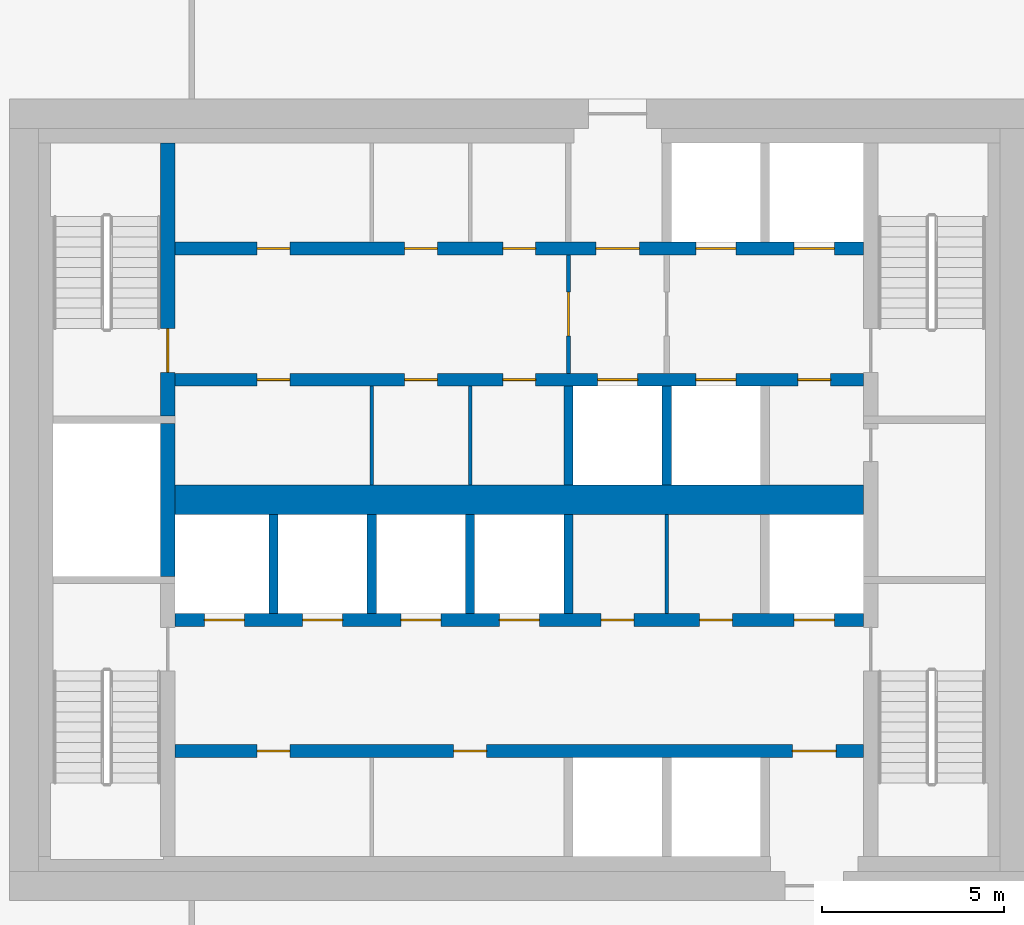
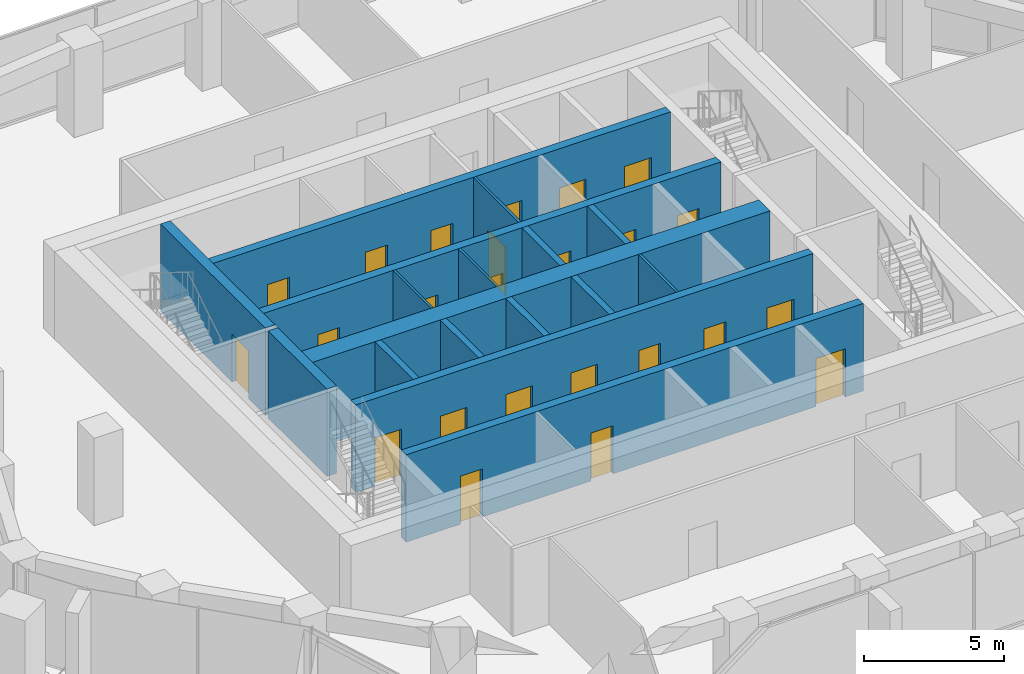
# One storey, part 12 of 18: 24 doors, 17 walls, 24 openings.
"""IFC4 building model written with IfcOpenShell, lengths in metres."""

from ifc_helpers import new_model, si_unit, direction, frame, frame_2d, origin, place, context, subcontext, project, spatial, rectangle, extrude, material, layer, layer_set, type_object, element, fill, save


model = new_model("IFC4")

# Units and contexts
model_context = context("Model", 3, precision=1e-05, world=origin(), true_north=direction((0.0, 1.0)))
body_context = subcontext(model_context, "Body", "Model", "MODEL_VIEW")
ifc_project = project(units=[si_unit("LENGTHUNIT", "METRE"), si_unit("AREAUNIT", "SQUARE_METRE"), si_unit("VOLUMEUNIT", "CUBIC_METRE"), si_unit("PLANEANGLEUNIT", "RADIAN"), si_unit("MASSUNIT", "GRAM", prefix="KILO")], contexts=[model_context])

# Site, building, storey
site_placement = place(None, origin())
site = spatial("IfcSite", under=ifc_project, at=site_placement, CompositionType="ELEMENT")
building_placement = place(site_placement, origin())
building = spatial("IfcBuilding", under=site, at=building_placement, Name="Dongbaek Canopy Tower", CompositionType="ELEMENT")
storey_placement = place(building_placement, frame((0.0, 0.0, 158.60009765625)))
storey = spatial("IfcBuildingStorey", under=building, at=storey_placement, Name="L34", CompositionType="ELEMENT", Elevation=158.60009765625)

# Wall
ifc_material_1 = material(Name="Concrete C60/75", Category="concrete")
ifc_layer_1 = layer(ifc_material_1, 0.800048828125)
ifc_layer_set_1 = layer_set([ifc_layer_1], Name="Core central wall 800 Concrete C60/75")
wall_type_1 = type_object("IfcWallType", Name="Core central wall 800 Concrete C60/75", PredefinedType="SHEAR", material=ifc_layer_set_1)
wall_1_placement = place(storey_placement, frame((-9.449951171875, 0.0, 0.0), z_axis=(0.0, 0.0, 1.0), x_axis=(1.0, 0.0, 0.0)))
element("IfcWall", 1, at=wall_1_placement, inside=storey, type_object=wall_type_1, Name="Core wall", PredefinedType="SHEAR", context=body_context, shape_type="SweptSolid", body=[
    extrude(rectangle(XDim=18.89990234375, YDim=0.800048828125, at=frame_2d((9.449951171875, 0.0))), origin(), (0.0, 0.0, 1.0), 3.81982421875),
])

# Wall, openings, doors
ifc_material_2 = material(Name="Concrete C60/75", Category="concrete")
ifc_layer_2 = layer(ifc_material_2, 0.35009765625)
ifc_layer_set_2 = layer_set([ifc_layer_2], Name="Core lobby wall 350 Concrete C60/75")
wall_type_2 = type_object("IfcWallType", Name="Core lobby wall 350 Concrete C60/75", PredefinedType="SHEAR", material=ifc_layer_set_2)
wall_2_placement = place(storey_placement, frame((-9.449951171875, 6.89990234375, 0.0), z_axis=(0.0, 0.0, 1.0), x_axis=(1.0, 0.0, 0.0)))
wall_2 = element("IfcWall", 2, at=wall_2_placement, inside=storey, type_object=wall_type_2, Name="Core wall", PredefinedType="SHEAR", context=body_context, shape_type="SweptSolid", body=[
    extrude(rectangle(XDim=18.89990234375, YDim=0.35009765625, at=frame_2d((9.449951171875, 0.0))), origin(), (0.0, 0.0, 1.0), 3.81982421875),
])
opening_1_placement = place(wall_2_placement, frame((11.550048828125, 0.0, 0.0)))
opening_1 = element("IfcOpeningElement", 3, at=opening_1_placement, cuts=wall_2, Name="Opening L34-D012", PredefinedType="OPENING", context=body_context, shape_type="SweptSolid", body=[
    extrude(rectangle(XDim=1.199951171875, YDim=2.10009765625, at=frame_2d((0.60009765625, 1.050048828125))), frame((0.0, 0.18505859375, 0.0), z_axis=(0.0, -1.0, 0.0), x_axis=(1.0, 0.0, 0.0)), (0.0, 0.0, 1.0), 0.3701171875),
])
opening_2_placement = place(wall_2_placement, frame((14.300048828125, 0.0, 0.0)))
opening_2 = element("IfcOpeningElement", 4, at=opening_2_placement, cuts=wall_2, Name="Opening L34-D013", PredefinedType="OPENING", context=body_context, shape_type="SweptSolid", body=[
    extrude(rectangle(XDim=1.10009765625, YDim=2.10009765625, at=frame_2d((0.550048828125, 1.050048828125))), frame((0.0, 0.18505859375, 0.0), z_axis=(0.0, -1.0, 0.0), x_axis=(1.0, 0.0, 0.0)), (0.0, 0.0, 1.0), 0.3701171875),
])
opening_3_placement = place(wall_2_placement, frame((17.0, 0.0, 0.0)))
opening_3 = element("IfcOpeningElement", 5, at=opening_3_placement, cuts=wall_2, Name="Opening L34-D014", PredefinedType="OPENING", context=body_context, shape_type="SweptSolid", body=[
    extrude(rectangle(XDim=1.10009765625, YDim=2.10009765625, at=frame_2d((0.550048828125, 1.050048828125))), frame((0.0, 0.18505859375, 0.0), z_axis=(0.0, -1.0, 0.0), x_axis=(1.0, 0.0, 0.0)), (0.0, 0.0, 1.0), 0.3701171875),
])
opening_4_placement = place(wall_2_placement, frame((2.25, 0.0, 0.0)))
opening_4 = element("IfcOpeningElement", 6, at=opening_4_placement, cuts=wall_2, Name="Opening L34-D025", PredefinedType="OPENING", context=body_context, shape_type="SweptSolid", body=[
    extrude(rectangle(XDim=0.89990234375, YDim=2.10009765625, at=frame_2d((0.449951171875, 1.050048828125))), frame((0.0, 0.18505859375, 0.0), z_axis=(0.0, -1.0, 0.0), x_axis=(1.0, 0.0, 0.0)), (0.0, 0.0, 1.0), 0.3701171875),
])
opening_5_placement = place(wall_2_placement, frame((6.300048828125, 0.0, 0.0)))
opening_5 = element("IfcOpeningElement", 7, at=opening_5_placement, cuts=wall_2, Name="Opening L34-D026", PredefinedType="OPENING", context=body_context, shape_type="SweptSolid", body=[
    extrude(rectangle(XDim=0.89990234375, YDim=2.10009765625, at=frame_2d((0.449951171875, 1.050048828125))), frame((0.0, 0.18505859375, 0.0), z_axis=(0.0, -1.0, 0.0), x_axis=(1.0, 0.0, 0.0)), (0.0, 0.0, 1.0), 0.3701171875),
])
opening_6_placement = place(wall_2_placement, frame((9.0, 0.0, 0.0)))
opening_6 = element("IfcOpeningElement", 8, at=opening_6_placement, cuts=wall_2, Name="Opening L34-D027", PredefinedType="OPENING", context=body_context, shape_type="SweptSolid", body=[
    extrude(rectangle(XDim=0.89990234375, YDim=2.10009765625, at=frame_2d((0.449951171875, 1.050048828125))), frame((0.0, 0.18505859375, 0.0), z_axis=(0.0, -1.0, 0.0), x_axis=(1.0, 0.0, 0.0)), (0.0, 0.0, 1.0), 0.3701171875),
])
ifc_material_3 = material(Name="Steel", Category="steel")
door_type_1 = type_object("IfcDoorType", Name="Core room door 900 x 2100", OperationType="SINGLE_SWING_LEFT", PredefinedType="DOOR", material=ifc_material_3)
door_1_placement = place(opening_4_placement, origin())
door_1 = element("IfcDoor", 9, at=door_1_placement, inside=storey, type_object=door_type_1, Name="Door L34-D025", OperationType="SINGLE_SWING_RIGHT", OverallHeight=2.10009765625, OverallWidth=0.89990234375, PredefinedType="DOOR", context=body_context, shape_type="SweptSolid", body=[
    extrude(rectangle(XDim=0.89990234375, YDim=2.10009765625, at=frame_2d((0.449951171875, 1.050048828125))), frame((0.0, 0.02490234375, 0.0), z_axis=(0.0, -1.0, 0.0), x_axis=(1.0, 0.0, 0.0)), (0.0, 0.0, 1.0), 0.050048828125),
])
fill(opening_4, door_1)
door_2_placement = place(opening_5_placement, origin())
door_2 = element("IfcDoor", 10, at=door_2_placement, inside=storey, type_object=door_type_1, Name="Door L34-D026", OperationType="SINGLE_SWING_LEFT", OverallHeight=2.10009765625, OverallWidth=0.89990234375, PredefinedType="DOOR", context=body_context, shape_type="SweptSolid", body=[
    extrude(rectangle(XDim=0.89990234375, YDim=2.10009765625, at=frame_2d((0.449951171875, 1.050048828125))), frame((0.0, 0.02490234375, 0.0), z_axis=(0.0, -1.0, 0.0), x_axis=(1.0, 0.0, 0.0)), (0.0, 0.0, 1.0), 0.050048828125),
])
fill(opening_5, door_2)
door_3_placement = place(opening_6_placement, origin())
door_3 = element("IfcDoor", 11, at=door_3_placement, inside=storey, type_object=door_type_1, Name="Door L34-D027", OperationType="SINGLE_SWING_RIGHT", OverallHeight=2.10009765625, OverallWidth=0.89990234375, PredefinedType="DOOR", context=body_context, shape_type="SweptSolid", body=[
    extrude(rectangle(XDim=0.89990234375, YDim=2.10009765625, at=frame_2d((0.449951171875, 1.050048828125))), frame((0.0, 0.02490234375, 0.0), z_axis=(0.0, -1.0, 0.0), x_axis=(1.0, 0.0, 0.0)), (0.0, 0.0, 1.0), 0.050048828125),
])
fill(opening_6, door_3)
ifc_material_4 = material(Name="Steel", Category="steel")
door_type_2 = type_object("IfcDoorType", Name="Fire lobby door 1200 x 2100", OperationType="SINGLE_SWING_LEFT", PredefinedType="DOOR", material=ifc_material_4)
door_4_placement = place(opening_1_placement, origin())
door_4 = element("IfcDoor", 12, at=door_4_placement, inside=storey, type_object=door_type_2, Name="Door L34-D012", OperationType="SINGLE_SWING_LEFT", OverallHeight=2.10009765625, OverallWidth=1.199951171875, PredefinedType="DOOR", context=body_context, shape_type="SweptSolid", body=[
    extrude(rectangle(XDim=1.199951171875, YDim=2.10009765625, at=frame_2d((0.60009765625, 1.050048828125))), frame((0.0, 0.02490234375, 0.0), z_axis=(0.0, -1.0, 0.0), x_axis=(1.0, 0.0, 0.0)), (0.0, 0.0, 1.0), 0.050048828125),
])
fill(opening_1, door_4)
ifc_material_5 = material(Name="Stainless steel", Category="steel")
door_type_3 = type_object("IfcDoorType", Name="Lift landing door 1100 x 2100", OperationType="DOUBLE_DOOR_SLIDING", PredefinedType="DOOR", material=ifc_material_5)
door_5_placement = place(opening_2_placement, origin())
door_5 = element("IfcDoor", 13, at=door_5_placement, inside=storey, type_object=door_type_3, Name="Landing door FF1", OperationType="DOUBLE_DOOR_SLIDING", OverallHeight=2.10009765625, OverallWidth=1.10009765625, PredefinedType="DOOR", context=body_context, shape_type="SweptSolid", body=[
    extrude(rectangle(XDim=1.10009765625, YDim=2.10009765625, at=frame_2d((0.550048828125, 1.050048828125))), frame((0.0, 0.02490234375, 0.0), z_axis=(0.0, -1.0, 0.0), x_axis=(1.0, 0.0, 0.0)), (0.0, 0.0, 1.0), 0.050048828125),
])
fill(opening_2, door_5)
door_6_placement = place(opening_3_placement, origin())
door_6 = element("IfcDoor", 14, at=door_6_placement, inside=storey, type_object=door_type_3, Name="Landing door FF2", OperationType="DOUBLE_DOOR_SLIDING", OverallHeight=2.10009765625, OverallWidth=1.10009765625, PredefinedType="DOOR", context=body_context, shape_type="SweptSolid", body=[
    extrude(rectangle(XDim=1.10009765625, YDim=2.10009765625, at=frame_2d((0.550048828125, 1.050048828125))), frame((0.0, 0.02490234375, 0.0), z_axis=(0.0, -1.0, 0.0), x_axis=(1.0, 0.0, 0.0)), (0.0, 0.0, 1.0), 0.050048828125),
])
fill(opening_3, door_6)

wall_3_placement = place(storey_placement, frame((9.449951171875, 3.300048828125, 0.0), z_axis=(0.0, 0.0, 1.0), x_axis=(-1.0, 0.0, 0.0)))
wall_3 = element("IfcWall", 15, at=wall_3_placement, inside=storey, type_object=wall_type_2, Name="Core wall", PredefinedType="SHEAR", context=body_context, shape_type="SweptSolid", body=[
    extrude(rectangle(XDim=18.89990234375, YDim=0.35009765625, at=frame_2d((9.449951171875, 0.0))), origin(), (0.0, 0.0, 1.0), 3.81982421875),
])
opening_7_placement = place(wall_3_placement, frame((6.199951171875, 0.0, 0.0)))
opening_7 = element("IfcOpeningElement", 16, at=opening_7_placement, cuts=wall_3, Name="Opening L34-D015", PredefinedType="OPENING", context=body_context, shape_type="SweptSolid", body=[
    extrude(rectangle(XDim=1.10009765625, YDim=2.10009765625, at=frame_2d((0.550048828125, 1.050048828125))), frame((0.0, 0.18505859375, 0.0), z_axis=(0.0, -1.0, 0.0), x_axis=(1.0, 0.0, 0.0)), (0.0, 0.0, 1.0), 0.3701171875),
])
opening_8_placement = place(wall_3_placement, frame((3.5, 0.0, 0.0)))
opening_8 = element("IfcOpeningElement", 17, at=opening_8_placement, cuts=wall_3, Name="Opening L34-D016", PredefinedType="OPENING", context=body_context, shape_type="SweptSolid", body=[
    extrude(rectangle(XDim=1.10009765625, YDim=2.10009765625, at=frame_2d((0.550048828125, 1.050048828125))), frame((0.0, 0.18505859375, 0.0), z_axis=(0.0, -1.0, 0.0), x_axis=(1.0, 0.0, 0.0)), (0.0, 0.0, 1.0), 0.3701171875),
])
opening_9_placement = place(wall_3_placement, frame((0.89990234375, 0.0, 0.0)))
opening_9 = element("IfcOpeningElement", 18, at=opening_9_placement, cuts=wall_3, Name="Opening L34-D017", PredefinedType="OPENING", context=body_context, shape_type="SweptSolid", body=[
    extrude(rectangle(XDim=0.89990234375, YDim=2.10009765625, at=frame_2d((0.449951171875, 1.050048828125))), frame((0.0, 0.18505859375, 0.0), z_axis=(0.0, -1.0, 0.0), x_axis=(1.0, 0.0, 0.0)), (0.0, 0.0, 1.0), 0.3701171875),
])
opening_10_placement = place(wall_3_placement, frame((15.75, 0.0, 0.0)))
opening_10 = element("IfcOpeningElement", 19, at=opening_10_placement, cuts=wall_3, Name="Opening L34-D028", PredefinedType="OPENING", context=body_context, shape_type="SweptSolid", body=[
    extrude(rectangle(XDim=0.89990234375, YDim=2.10009765625, at=frame_2d((0.449951171875, 1.050048828125))), frame((0.0, 0.18505859375, 0.0), z_axis=(0.0, -1.0, 0.0), x_axis=(1.0, 0.0, 0.0)), (0.0, 0.0, 1.0), 0.3701171875),
])
opening_11_placement = place(wall_3_placement, frame((11.699951171875, 0.0, 0.0)))
opening_11 = element("IfcOpeningElement", 20, at=opening_11_placement, cuts=wall_3, Name="Opening L34-D029", PredefinedType="OPENING", context=body_context, shape_type="SweptSolid", body=[
    extrude(rectangle(XDim=0.89990234375, YDim=2.10009765625, at=frame_2d((0.449951171875, 1.050048828125))), frame((0.0, 0.18505859375, 0.0), z_axis=(0.0, -1.0, 0.0), x_axis=(1.0, 0.0, 0.0)), (0.0, 0.0, 1.0), 0.3701171875),
])
opening_12_placement = place(wall_3_placement, frame((9.0, 0.0, 0.0)))
opening_12 = element("IfcOpeningElement", 21, at=opening_12_placement, cuts=wall_3, Name="Opening L34-D030", PredefinedType="OPENING", context=body_context, shape_type="SweptSolid", body=[
    extrude(rectangle(XDim=0.89990234375, YDim=2.10009765625, at=frame_2d((0.449951171875, 1.050048828125))), frame((0.0, 0.18505859375, 0.0), z_axis=(0.0, -1.0, 0.0), x_axis=(1.0, 0.0, 0.0)), (0.0, 0.0, 1.0), 0.3701171875),
])
door_7_placement = place(opening_9_placement, origin())
door_7 = element("IfcDoor", 22, at=door_7_placement, inside=storey, type_object=door_type_1, Name="Door L34-D017", OperationType="SINGLE_SWING_LEFT", OverallHeight=2.10009765625, OverallWidth=0.89990234375, PredefinedType="DOOR", context=body_context, shape_type="SweptSolid", body=[
    extrude(rectangle(XDim=0.89990234375, YDim=2.10009765625, at=frame_2d((0.449951171875, 1.050048828125))), frame((0.0, 0.02490234375, 0.0), z_axis=(0.0, -1.0, 0.0), x_axis=(1.0, 0.0, 0.0)), (0.0, 0.0, 1.0), 0.050048828125),
])
fill(opening_9, door_7)
door_8_placement = place(opening_10_placement, origin())
door_8 = element("IfcDoor", 23, at=door_8_placement, inside=storey, type_object=door_type_1, Name="Door L34-D028", OperationType="SINGLE_SWING_LEFT", OverallHeight=2.10009765625, OverallWidth=0.89990234375, PredefinedType="DOOR", context=body_context, shape_type="SweptSolid", body=[
    extrude(rectangle(XDim=0.89990234375, YDim=2.10009765625, at=frame_2d((0.449951171875, 1.050048828125))), frame((0.0, 0.02490234375, 0.0), z_axis=(0.0, -1.0, 0.0), x_axis=(1.0, 0.0, 0.0)), (0.0, 0.0, 1.0), 0.050048828125),
])
fill(opening_10, door_8)
door_9_placement = place(opening_11_placement, origin())
door_9 = element("IfcDoor", 24, at=door_9_placement, inside=storey, type_object=door_type_1, Name="Door L34-D029", OperationType="SINGLE_SWING_RIGHT", OverallHeight=2.10009765625, OverallWidth=0.89990234375, PredefinedType="DOOR", context=body_context, shape_type="SweptSolid", body=[
    extrude(rectangle(XDim=0.89990234375, YDim=2.10009765625, at=frame_2d((0.449951171875, 1.050048828125))), frame((0.0, 0.02490234375, 0.0), z_axis=(0.0, -1.0, 0.0), x_axis=(1.0, 0.0, 0.0)), (0.0, 0.0, 1.0), 0.050048828125),
])
fill(opening_11, door_9)
door_10_placement = place(opening_12_placement, origin())
door_10 = element("IfcDoor", 25, at=door_10_placement, inside=storey, type_object=door_type_1, Name="Door L34-D030", OperationType="SINGLE_SWING_LEFT", OverallHeight=2.10009765625, OverallWidth=0.89990234375, PredefinedType="DOOR", context=body_context, shape_type="SweptSolid", body=[
    extrude(rectangle(XDim=0.89990234375, YDim=2.10009765625, at=frame_2d((0.449951171875, 1.050048828125))), frame((0.0, 0.02490234375, 0.0), z_axis=(0.0, -1.0, 0.0), x_axis=(1.0, 0.0, 0.0)), (0.0, 0.0, 1.0), 0.050048828125),
])
fill(opening_12, door_10)
door_11_placement = place(opening_7_placement, origin())
door_11 = element("IfcDoor", 26, at=door_11_placement, inside=storey, type_object=door_type_3, Name="Landing door SV1", OperationType="DOUBLE_DOOR_SLIDING", OverallHeight=2.10009765625, OverallWidth=1.10009765625, PredefinedType="DOOR", context=body_context, shape_type="SweptSolid", body=[
    extrude(rectangle(XDim=1.10009765625, YDim=2.10009765625, at=frame_2d((0.550048828125, 1.050048828125))), frame((0.0, 0.02490234375, 0.0), z_axis=(0.0, -1.0, 0.0), x_axis=(1.0, 0.0, 0.0)), (0.0, 0.0, 1.0), 0.050048828125),
])
fill(opening_7, door_11)
door_12_placement = place(opening_8_placement, origin())
door_12 = element("IfcDoor", 27, at=door_12_placement, inside=storey, type_object=door_type_3, Name="Landing door FF3", OperationType="DOUBLE_DOOR_SLIDING", OverallHeight=2.10009765625, OverallWidth=1.10009765625, PredefinedType="DOOR", context=body_context, shape_type="SweptSolid", body=[
    extrude(rectangle(XDim=1.10009765625, YDim=2.10009765625, at=frame_2d((0.550048828125, 1.050048828125))), frame((0.0, 0.02490234375, 0.0), z_axis=(0.0, -1.0, 0.0), x_axis=(1.0, 0.0, 0.0)), (0.0, 0.0, 1.0), 0.050048828125),
])
fill(opening_8, door_12)

wall_4_placement = place(storey_placement, frame((-9.449951171875, -3.300048828125, 0.0), z_axis=(0.0, 0.0, 1.0), x_axis=(1.0, 0.0, 0.0)))
wall_4 = element("IfcWall", 28, at=wall_4_placement, inside=storey, type_object=wall_type_2, Name="Core wall", PredefinedType="SHEAR", context=body_context, shape_type="SweptSolid", body=[
    extrude(rectangle(XDim=18.89990234375, YDim=0.35009765625, at=frame_2d((9.449951171875, 0.0))), origin(), (0.0, 0.0, 1.0), 3.81982421875),
])
opening_13_placement = place(wall_4_placement, frame((0.800048828125, 0.0, 0.0)))
opening_13 = element("IfcOpeningElement", 29, at=opening_13_placement, cuts=wall_4, Name="Opening L34-D018", PredefinedType="OPENING", context=body_context, shape_type="SweptSolid", body=[
    extrude(rectangle(XDim=1.10009765625, YDim=2.10009765625, at=frame_2d((0.550048828125, 1.050048828125))), frame((0.0, 0.18505859375, 0.0), z_axis=(0.0, -1.0, 0.0), x_axis=(1.0, 0.0, 0.0)), (0.0, 0.0, 1.0), 0.3701171875),
])
opening_14_placement = place(wall_4_placement, frame((3.5, 0.0, 0.0)))
opening_14 = element("IfcOpeningElement", 30, at=opening_14_placement, cuts=wall_4, Name="Opening L34-D019", PredefinedType="OPENING", context=body_context, shape_type="SweptSolid", body=[
    extrude(rectangle(XDim=1.10009765625, YDim=2.10009765625, at=frame_2d((0.550048828125, 1.050048828125))), frame((0.0, 0.18505859375, 0.0), z_axis=(0.0, -1.0, 0.0), x_axis=(1.0, 0.0, 0.0)), (0.0, 0.0, 1.0), 0.3701171875),
])
opening_15_placement = place(wall_4_placement, frame((6.199951171875, 0.0, 0.0)))
opening_15 = element("IfcOpeningElement", 31, at=opening_15_placement, cuts=wall_4, Name="Opening L34-D020", PredefinedType="OPENING", context=body_context, shape_type="SweptSolid", body=[
    extrude(rectangle(XDim=1.10009765625, YDim=2.10009765625, at=frame_2d((0.550048828125, 1.050048828125))), frame((0.0, 0.18505859375, 0.0), z_axis=(0.0, -1.0, 0.0), x_axis=(1.0, 0.0, 0.0)), (0.0, 0.0, 1.0), 0.3701171875),
])
opening_16_placement = place(wall_4_placement, frame((8.89990234375, 0.0, 0.0)))
opening_16 = element("IfcOpeningElement", 32, at=opening_16_placement, cuts=wall_4, Name="Opening L34-D021", PredefinedType="OPENING", context=body_context, shape_type="SweptSolid", body=[
    extrude(rectangle(XDim=1.10009765625, YDim=2.10009765625, at=frame_2d((0.550048828125, 1.050048828125))), frame((0.0, 0.18505859375, 0.0), z_axis=(0.0, -1.0, 0.0), x_axis=(1.0, 0.0, 0.0)), (0.0, 0.0, 1.0), 0.3701171875),
])
opening_17_placement = place(wall_4_placement, frame((17.0, 0.0, 0.0)))
opening_17 = element("IfcOpeningElement", 33, at=opening_17_placement, cuts=wall_4, Name="Opening L34-D022", PredefinedType="OPENING", context=body_context, shape_type="SweptSolid", body=[
    extrude(rectangle(XDim=1.10009765625, YDim=2.10009765625, at=frame_2d((0.550048828125, 1.050048828125))), frame((0.0, 0.18505859375, 0.0), z_axis=(0.0, -1.0, 0.0), x_axis=(1.0, 0.0, 0.0)), (0.0, 0.0, 1.0), 0.3701171875),
])
opening_18_placement = place(wall_4_placement, frame((11.699951171875, 0.0, 0.0)))
opening_18 = element("IfcOpeningElement", 34, at=opening_18_placement, cuts=wall_4, Name="Opening L34-D031", PredefinedType="OPENING", context=body_context, shape_type="SweptSolid", body=[
    extrude(rectangle(XDim=0.89990234375, YDim=2.10009765625, at=frame_2d((0.449951171875, 1.050048828125))), frame((0.0, 0.18505859375, 0.0), z_axis=(0.0, -1.0, 0.0), x_axis=(1.0, 0.0, 0.0)), (0.0, 0.0, 1.0), 0.3701171875),
])
opening_19_placement = place(wall_4_placement, frame((14.39990234375, 0.0, 0.0)))
opening_19 = element("IfcOpeningElement", 35, at=opening_19_placement, cuts=wall_4, Name="Opening L34-D032", PredefinedType="OPENING", context=body_context, shape_type="SweptSolid", body=[
    extrude(rectangle(XDim=0.89990234375, YDim=2.10009765625, at=frame_2d((0.449951171875, 1.050048828125))), frame((0.0, 0.18505859375, 0.0), z_axis=(0.0, -1.0, 0.0), x_axis=(1.0, 0.0, 0.0)), (0.0, 0.0, 1.0), 0.3701171875),
])
door_13_placement = place(opening_18_placement, origin())
door_13 = element("IfcDoor", 36, at=door_13_placement, inside=storey, type_object=door_type_1, Name="Door L34-D031", OperationType="SINGLE_SWING_RIGHT", OverallHeight=2.10009765625, OverallWidth=0.89990234375, PredefinedType="DOOR", context=body_context, shape_type="SweptSolid", body=[
    extrude(rectangle(XDim=0.89990234375, YDim=2.10009765625, at=frame_2d((0.449951171875, 1.050048828125))), frame((0.0, 0.02490234375, 0.0), z_axis=(0.0, -1.0, 0.0), x_axis=(1.0, 0.0, 0.0)), (0.0, 0.0, 1.0), 0.050048828125),
])
fill(opening_18, door_13)
door_14_placement = place(opening_19_placement, origin())
door_14 = element("IfcDoor", 37, at=door_14_placement, inside=storey, type_object=door_type_1, Name="Door L34-D032", OperationType="SINGLE_SWING_LEFT", OverallHeight=2.10009765625, OverallWidth=0.89990234375, PredefinedType="DOOR", context=body_context, shape_type="SweptSolid", body=[
    extrude(rectangle(XDim=0.89990234375, YDim=2.10009765625, at=frame_2d((0.449951171875, 1.050048828125))), frame((0.0, 0.02490234375, 0.0), z_axis=(0.0, -1.0, 0.0), x_axis=(1.0, 0.0, 0.0)), (0.0, 0.0, 1.0), 0.050048828125),
])
fill(opening_19, door_14)
door_15_placement = place(opening_13_placement, origin())
door_15 = element("IfcDoor", 38, at=door_15_placement, inside=storey, type_object=door_type_3, Name="Landing door MR1", OperationType="DOUBLE_DOOR_SLIDING", OverallHeight=2.10009765625, OverallWidth=1.10009765625, PredefinedType="DOOR", context=body_context, shape_type="SweptSolid", body=[
    extrude(rectangle(XDim=1.10009765625, YDim=2.10009765625, at=frame_2d((0.550048828125, 1.050048828125))), frame((0.0, 0.02490234375, 0.0), z_axis=(0.0, -1.0, 0.0), x_axis=(1.0, 0.0, 0.0)), (0.0, 0.0, 1.0), 0.050048828125),
])
fill(opening_13, door_15)
door_16_placement = place(opening_14_placement, origin())
door_16 = element("IfcDoor", 39, at=door_16_placement, inside=storey, type_object=door_type_3, Name="Landing door MR2", OperationType="DOUBLE_DOOR_SLIDING", OverallHeight=2.10009765625, OverallWidth=1.10009765625, PredefinedType="DOOR", context=body_context, shape_type="SweptSolid", body=[
    extrude(rectangle(XDim=1.10009765625, YDim=2.10009765625, at=frame_2d((0.550048828125, 1.050048828125))), frame((0.0, 0.02490234375, 0.0), z_axis=(0.0, -1.0, 0.0), x_axis=(1.0, 0.0, 0.0)), (0.0, 0.0, 1.0), 0.050048828125),
])
fill(opening_14, door_16)
door_17_placement = place(opening_15_placement, origin())
door_17 = element("IfcDoor", 40, at=door_17_placement, inside=storey, type_object=door_type_3, Name="Landing door MR3", OperationType="DOUBLE_DOOR_SLIDING", OverallHeight=2.10009765625, OverallWidth=1.10009765625, PredefinedType="DOOR", context=body_context, shape_type="SweptSolid", body=[
    extrude(rectangle(XDim=1.10009765625, YDim=2.10009765625, at=frame_2d((0.550048828125, 1.050048828125))), frame((0.0, 0.02490234375, 0.0), z_axis=(0.0, -1.0, 0.0), x_axis=(1.0, 0.0, 0.0)), (0.0, 0.0, 1.0), 0.050048828125),
])
fill(opening_15, door_17)
door_18_placement = place(opening_16_placement, origin())
door_18 = element("IfcDoor", 41, at=door_18_placement, inside=storey, type_object=door_type_3, Name="Landing door MR4", OperationType="DOUBLE_DOOR_SLIDING", OverallHeight=2.10009765625, OverallWidth=1.10009765625, PredefinedType="DOOR", context=body_context, shape_type="SweptSolid", body=[
    extrude(rectangle(XDim=1.10009765625, YDim=2.10009765625, at=frame_2d((0.550048828125, 1.050048828125))), frame((0.0, 0.02490234375, 0.0), z_axis=(0.0, -1.0, 0.0), x_axis=(1.0, 0.0, 0.0)), (0.0, 0.0, 1.0), 0.050048828125),
])
fill(opening_16, door_18)
door_19_placement = place(opening_17_placement, origin())
door_19 = element("IfcDoor", 42, at=door_19_placement, inside=storey, type_object=door_type_3, Name="Landing door SV2", OperationType="DOUBLE_DOOR_SLIDING", OverallHeight=2.10009765625, OverallWidth=1.10009765625, PredefinedType="DOOR", context=body_context, shape_type="SweptSolid", body=[
    extrude(rectangle(XDim=1.10009765625, YDim=2.10009765625, at=frame_2d((0.550048828125, 1.050048828125))), frame((0.0, 0.02490234375, 0.0), z_axis=(0.0, -1.0, 0.0), x_axis=(1.0, 0.0, 0.0)), (0.0, 0.0, 1.0), 0.050048828125),
])
fill(opening_17, door_19)

wall_5_placement = place(storey_placement, frame((9.449951171875, -6.89990234375, 0.0), z_axis=(0.0, 0.0, 1.0), x_axis=(-1.0, 0.0, 0.0)))
wall_5 = element("IfcWall", 43, at=wall_5_placement, inside=storey, type_object=wall_type_2, Name="Core wall", PredefinedType="SHEAR", context=body_context, shape_type="SweptSolid", body=[
    extrude(rectangle(XDim=18.89990234375, YDim=0.35009765625, at=frame_2d((9.449951171875, 0.0))), origin(), (0.0, 0.0, 1.0), 3.81982421875),
])
opening_20_placement = place(wall_5_placement, frame((0.75, 0.0, 0.0)))
opening_20 = element("IfcOpeningElement", 44, at=opening_20_placement, cuts=wall_5, Name="Opening L34-D024", PredefinedType="OPENING", context=body_context, shape_type="SweptSolid", body=[
    extrude(rectangle(XDim=1.199951171875, YDim=2.10009765625, at=frame_2d((0.60009765625, 1.050048828125))), frame((0.0, 0.18505859375, 0.0), z_axis=(0.0, -1.0, 0.0), x_axis=(1.0, 0.0, 0.0)), (0.0, 0.0, 1.0), 0.3701171875),
])
opening_21_placement = place(wall_5_placement, frame((15.75, 0.0, 0.0)))
opening_21 = element("IfcOpeningElement", 45, at=opening_21_placement, cuts=wall_5, Name="Opening L34-D033", PredefinedType="OPENING", context=body_context, shape_type="SweptSolid", body=[
    extrude(rectangle(XDim=0.89990234375, YDim=2.10009765625, at=frame_2d((0.449951171875, 1.050048828125))), frame((0.0, 0.18505859375, 0.0), z_axis=(0.0, -1.0, 0.0), x_axis=(1.0, 0.0, 0.0)), (0.0, 0.0, 1.0), 0.3701171875),
])
opening_22_placement = place(wall_5_placement, frame((10.35009765625, 0.0, 0.0)))
opening_22 = element("IfcOpeningElement", 46, at=opening_22_placement, cuts=wall_5, Name="Opening L34-D034", PredefinedType="OPENING", context=body_context, shape_type="SweptSolid", body=[
    extrude(rectangle(XDim=0.89990234375, YDim=2.10009765625, at=frame_2d((0.449951171875, 1.050048828125))), frame((0.0, 0.18505859375, 0.0), z_axis=(0.0, -1.0, 0.0), x_axis=(1.0, 0.0, 0.0)), (0.0, 0.0, 1.0), 0.3701171875),
])
door_20_placement = place(opening_21_placement, origin())
door_20 = element("IfcDoor", 47, at=door_20_placement, inside=storey, type_object=door_type_1, Name="Door L34-D033", OperationType="SINGLE_SWING_RIGHT", OverallHeight=2.10009765625, OverallWidth=0.89990234375, PredefinedType="DOOR", context=body_context, shape_type="SweptSolid", body=[
    extrude(rectangle(XDim=0.89990234375, YDim=2.10009765625, at=frame_2d((0.449951171875, 1.050048828125))), frame((0.0, 0.02490234375, 0.0), z_axis=(0.0, -1.0, 0.0), x_axis=(1.0, 0.0, 0.0)), (0.0, 0.0, 1.0), 0.050048828125),
])
fill(opening_21, door_20)
door_21_placement = place(opening_22_placement, origin())
door_21 = element("IfcDoor", 48, at=door_21_placement, inside=storey, type_object=door_type_1, Name="Door L34-D034", OperationType="SINGLE_SWING_LEFT", OverallHeight=2.10009765625, OverallWidth=0.89990234375, PredefinedType="DOOR", context=body_context, shape_type="SweptSolid", body=[
    extrude(rectangle(XDim=0.89990234375, YDim=2.10009765625, at=frame_2d((0.449951171875, 1.050048828125))), frame((0.0, 0.02490234375, 0.0), z_axis=(0.0, -1.0, 0.0), x_axis=(1.0, 0.0, 0.0)), (0.0, 0.0, 1.0), 0.050048828125),
])
fill(opening_22, door_21)
door_22_placement = place(opening_20_placement, origin())
door_22 = element("IfcDoor", 49, at=door_22_placement, inside=storey, type_object=door_type_2, Name="Door L34-D024", OperationType="SINGLE_SWING_LEFT", OverallHeight=2.10009765625, OverallWidth=1.199951171875, PredefinedType="DOOR", context=body_context, shape_type="SweptSolid", body=[
    extrude(rectangle(XDim=1.199951171875, YDim=2.10009765625, at=frame_2d((0.60009765625, 1.050048828125))), frame((0.0, 0.02490234375, 0.0), z_axis=(0.0, -1.0, 0.0), x_axis=(1.0, 0.0, 0.0)), (0.0, 0.0, 1.0), 0.050048828125),
])
fill(opening_20, door_22)

# Walls
ifc_material_6 = material(Name="Concrete C40/50", Category="concrete")
ifc_layer_3 = layer(ifc_material_6, 0.25)
ifc_layer_set_3 = layer_set([ifc_layer_3], Name="Lift shaft wall 250 Concrete C40/50")
wall_type_3 = type_object("IfcWallType", Name="Lift shaft wall 250 Concrete C40/50", PredefinedType="SOLIDWALL", material=ifc_layer_set_3)
for number, where, z_axis, x_axis, name in (
    (50, (4.050048828125, 0.39990234375, 0.0), (0.0, 0.0, 1.0), (0.0, 1.0, 0.0), "Lift shaft wall"),
    (51, (1.35009765625, -3.125, 0.0), (0.0, 0.0, 1.0), (0.0, 1.0, 0.0), "Lift shaft wall"),
    (52, (1.35009765625, 0.39990234375, 0.0), (0.0, 0.0, 1.0), (0.0, 1.0, 0.0), "Lift shaft wall"),
    (53, (-1.35009765625, -3.125, 0.0), (0.0, 0.0, 1.0), (0.0, 1.0, 0.0), "Lift shaft wall"),
    (54, (-4.050048828125, -3.125, 0.0), (0.0, 0.0, 1.0), (0.0, 1.0, 0.0), "Lift shaft wall"),
    (55, (-6.75, -3.125, 0.0), (0.0, 0.0, 1.0), (0.0, 1.0, 0.0), "Lift shaft wall"),
):
    element("IfcWall", number, at=place(storey_placement, frame(where, z_axis=z_axis, x_axis=x_axis)), inside=storey, type_object=wall_type_3, Name=name, PredefinedType="SOLIDWALL", context=body_context, shape_type="SweptSolid", body=[
        extrude(rectangle(XDim=2.72509765625, YDim=0.25, at=frame_2d((1.362548828125, 0.0))), origin(), (0.0, 0.0, 1.0), 3.81982421875),
    ])
ifc_material_7 = material(Name="Gypsum board partition, steel stud, 2 x 12.5 mm board", Category="steel")
ifc_layer_4 = layer(ifc_material_7, 0.10009765625)
ifc_layer_set_4 = layer_set([ifc_layer_4], Name="Partition 100 gypsum board")
wall_type_4 = type_object("IfcWallType", Name="Partition 100 gypsum board", PredefinedType="PARTITIONING", material=ifc_layer_set_4)
wall_6_placement = place(storey_placement, frame((4.050048828125, -3.125, 0.0), z_axis=(0.0, 0.0, 1.0), x_axis=(0.0, 1.0, 0.0)))
element("IfcWall", 56, at=wall_6_placement, inside=storey, type_object=wall_type_4, Name="Core partition", PredefinedType="PARTITIONING", context=body_context, shape_type="SweptSolid", body=[
    extrude(rectangle(XDim=2.72509765625, YDim=0.10009765625, at=frame_2d((1.362548828125, 0.0))), origin(), (0.0, 0.0, 1.0), 3.81982421875),
])

# Wall, opening, door
wall_7_placement = place(storey_placement, frame((1.35009765625, 6.72509765625, 0.0), z_axis=(0.0, 0.0, 1.0), x_axis=(0.0, -1.0, 0.0)))
wall_7 = element("IfcWall", 57, at=wall_7_placement, inside=storey, type_object=wall_type_4, Name="Core partition", PredefinedType="PARTITIONING", context=body_context, shape_type="SweptSolid", body=[
    extrude(rectangle(XDim=3.25, YDim=0.10009765625, at=frame_2d((1.625, 0.0))), origin(), (0.0, 0.0, 1.0), 3.81982421875),
])
opening_23_placement = place(wall_7_placement, frame((1.02490234375, 0.0, 0.0)))
opening_23 = element("IfcOpeningElement", 58, at=opening_23_placement, cuts=wall_7, Name="Opening L34-D039", PredefinedType="OPENING", context=body_context, shape_type="SweptSolid", body=[
    extrude(rectangle(XDim=1.199951171875, YDim=2.10009765625, at=frame_2d((0.60009765625, 1.050048828125))), frame((0.0, 0.06005859375, 0.0), z_axis=(0.0, -1.0, 0.0), x_axis=(1.0, 0.0, 0.0)), (0.0, 0.0, 1.0), 0.1201171875),
])
door_23_placement = place(opening_23_placement, origin())
door_23 = element("IfcDoor", 59, at=door_23_placement, inside=storey, type_object=door_type_2, Name="Door L34-D039", OperationType="SINGLE_SWING_LEFT", OverallHeight=2.10009765625, OverallWidth=1.199951171875, PredefinedType="DOOR", context=body_context, shape_type="SweptSolid", body=[
    extrude(rectangle(XDim=1.199951171875, YDim=2.10009765625, at=frame_2d((0.60009765625, 1.050048828125))), frame((0.0, 0.02490234375, 0.0), z_axis=(0.0, -1.0, 0.0), x_axis=(1.0, 0.0, 0.0)), (0.0, 0.0, 1.0), 0.050048828125),
])
fill(opening_23, door_23)

# Walls
for number, where, z_axis, x_axis, name in (
    (60, (-1.35009765625, 0.39990234375, 0.0), (0.0, 0.0, 1.0), (0.0, 1.0, 0.0), "Core partition"),
    (61, (-4.050048828125, 0.39990234375, 0.0), (0.0, 0.0, 1.0), (0.0, 1.0, 0.0), "Core partition"),
):
    element("IfcWall", number, at=place(storey_placement, frame(where, z_axis=z_axis, x_axis=x_axis)), inside=storey, type_object=wall_type_4, Name=name, PredefinedType="PARTITIONING", context=body_context, shape_type="SweptSolid", body=[
        extrude(rectangle(XDim=2.72509765625, YDim=0.10009765625, at=frame_2d((1.362548828125, 0.0))), origin(), (0.0, 0.0, 1.0), 3.81982421875),
    ])
ifc_material_8 = material(Name="Concrete C60/75", Category="concrete")
ifc_layer_5 = layer(ifc_material_8, 0.39990234375)
ifc_layer_set_5 = layer_set([ifc_layer_5], Name="Stair wall 400 Concrete C60/75")
wall_type_5 = type_object("IfcWallType", Name="Stair wall 400 Concrete C60/75", PredefinedType="SHEAR", material=ifc_layer_set_5)
wall_8_placement = place(storey_placement, frame((-9.64990234375, -2.10009765625, 0.0), z_axis=(0.0, 0.0, 1.0), x_axis=(0.0, 1.0, 0.0)))
element("IfcWall", 62, at=wall_8_placement, inside=storey, type_object=wall_type_5, Name="Stair wall", PredefinedType="SHEAR", context=body_context, shape_type="SweptSolid", body=[
    extrude(rectangle(XDim=4.2001953125, YDim=0.39990234375, at=frame_2d((2.10009765625, 0.0))), origin(), (0.0, 0.0, 1.0), 3.81982421875),
])

# Wall, opening, door
wall_9_placement = place(storey_placement, frame((-9.64990234375, 2.300048828125, 0.0), z_axis=(0.0, 0.0, 1.0), x_axis=(0.0, 1.0, 0.0)))
wall_9 = element("IfcWall", 63, at=wall_9_placement, inside=storey, type_object=wall_type_5, Name="Stair wall", PredefinedType="SHEAR", context=body_context, shape_type="SweptSolid", body=[
    extrude(rectangle(XDim=7.5, YDim=0.39990234375, at=frame_2d((3.75, 0.0))), origin(), (0.0, 0.0, 1.0), 3.81982421875),
])
opening_24_placement = place(wall_9_placement, frame((1.199951171875, 0.0, 0.0)))
opening_24 = element("IfcOpeningElement", 64, at=opening_24_placement, cuts=wall_9, Name="Opening L34-D036", PredefinedType="OPENING", context=body_context, shape_type="SweptSolid", body=[
    extrude(rectangle(XDim=1.199951171875, YDim=2.10009765625, at=frame_2d((0.60009765625, 1.050048828125))), frame((0.0, 0.2099609375, 0.0), z_axis=(0.0, -1.0, 0.0), x_axis=(1.0, 0.0, 0.0)), (0.0, 0.0, 1.0), 0.419921875),
])
ifc_material_9 = material(Name="Steel", Category="steel")
door_type_4 = type_object("IfcDoorType", Name="Stair door 1200 x 2100", OperationType="SINGLE_SWING_LEFT", PredefinedType="DOOR", material=ifc_material_9)
door_24_placement = place(opening_24_placement, origin())
door_24 = element("IfcDoor", 65, at=door_24_placement, inside=storey, type_object=door_type_4, Name="Stair C door", OperationType="SINGLE_SWING_RIGHT", OverallHeight=2.10009765625, OverallWidth=1.199951171875, PredefinedType="DOOR", context=body_context, shape_type="SweptSolid", body=[
    extrude(rectangle(XDim=1.199951171875, YDim=2.10009765625, at=frame_2d((0.60009765625, 1.050048828125))), frame((0.0, 0.02490234375, 0.0), z_axis=(0.0, -1.0, 0.0), x_axis=(1.0, 0.0, 0.0)), (0.0, 0.0, 1.0), 0.050048828125),
])
fill(opening_24, door_24)

save(model, "model.ifc")
